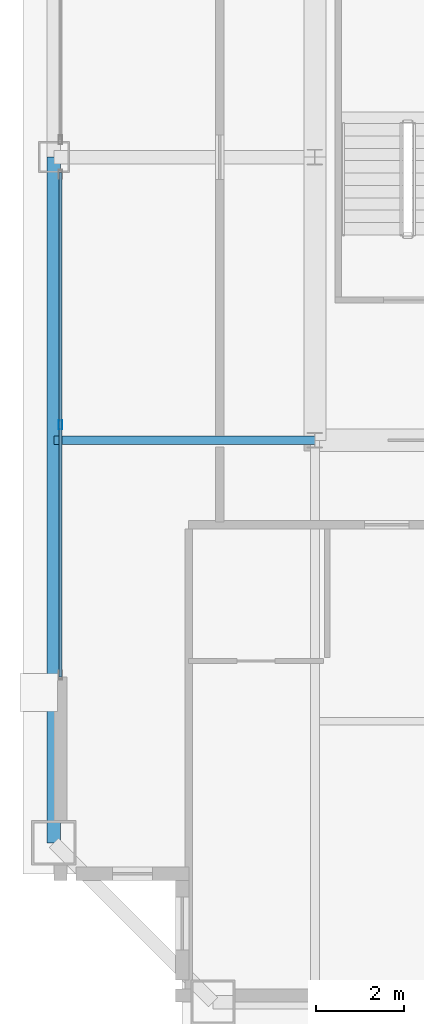
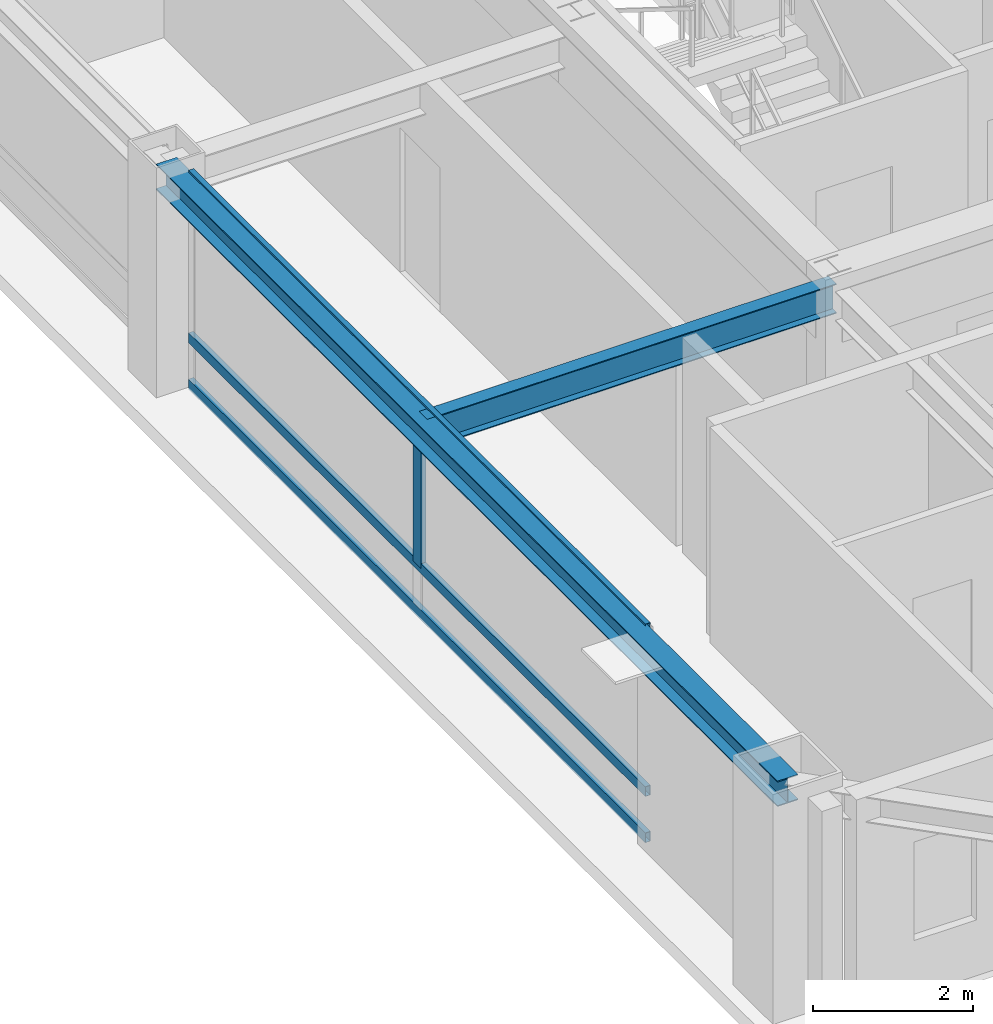
# One storey, part 6 of 35: 4 members, 2 beams, 1 element without a shape of its own.
"""IFC4 building model written with IfcOpenShell, lengths in metres."""

from ifc_helpers import new_model, si_unit, direction, frame, origin, origin_2d, place, context, subcontext, project, spatial, hollow_rectangle, i_section, extrude, source, transform, mapped, material, layer, layer_set, material_profile, profile_set, type_object, element, aggregate, save


model = new_model("IFC4")

# Units and contexts
model_context = context("Model", 3, precision=1e-05, world=origin(), true_north=direction((0.0, 1.0)))
body_context = subcontext(model_context, "Body", "Model", "MODEL_VIEW")
ifc_project = project(units=[si_unit("LENGTHUNIT", "METRE"), si_unit("AREAUNIT", "SQUARE_METRE"), si_unit("VOLUMEUNIT", "CUBIC_METRE"), si_unit("PLANEANGLEUNIT", "RADIAN"), si_unit("MASSUNIT", "GRAM", prefix="KILO"), si_unit("THERMODYNAMICTEMPERATUREUNIT", "KELVIN"), si_unit("POWERUNIT", "WATT")], contexts=[model_context])

# Site, building, storey
site_placement = place(None, origin())
site = spatial("IfcSite", under=ifc_project, at=site_placement, CompositionType="ELEMENT")
building_placement = place(site_placement, origin())
building = spatial("IfcBuilding", under=site, at=building_placement, Name="Yuzanri Waterfront Tower", CompositionType="ELEMENT")
storey_placement = place(building_placement, frame((0.0, 0.0, 318.199951171875)))
storey = spatial("IfcBuildingStorey", under=building, at=storey_placement, Name="L85", CompositionType="ELEMENT", Elevation=318.199951171875)

# Beams
ifc_material_1 = material(Name="Steel Q355B", Category="steel")
ifc_material_profile_1 = material_profile(ifc_material_1, i_section(OverallWidth=0.300048828125, OverallDepth=0.389892578125, WebThickness=0.010009765625, FlangeThickness=0.01611328125, at=origin_2d()), Name="HM 390x300x10x16")
ifc_profile_set_1 = profile_set([ifc_material_profile_1], Name="Steel Q355B")
beam_type_1 = type_object("IfcBeamType", Name="Perimeter Spandrel Q355B HM 390x300", PredefinedType="SPANDREL", material=ifc_profile_set_1)
shared_shape_1 = source(origin(), body_context, "Body", "SweptSolid", [
    extrude(i_section(OverallWidth=0.300048828125, OverallDepth=0.389892578125, WebThickness=0.010009765625, FlangeThickness=0.01611328125, at=origin_2d()), origin(), (0.0, 0.0, 1.0), 15.5),
])
beam_1_placement = place(storey_placement, frame((17.89990234375, 25.800048828125, 3.0849609375), z_axis=(0.0, -1.0, 0.0), x_axis=(1.0, 0.0, 0.0)))
element("IfcBeam", 1, at=beam_1_placement, inside=storey, type_object=beam_type_1, Name="L85 Perimeter Spandrel W2-W1", PredefinedType="SPANDREL", context=body_context, shape_type="MappedRepresentation", body=[
    mapped(shared_shape_1, transform((0.0, 0.0, 0.0), scale=1.0)),
])
ifc_material_2 = material(Name="Steel Q355B", Category="steel")
ifc_material_profile_2 = material_profile(ifc_material_2, i_section(OverallWidth=0.199951171875, OverallDepth=0.449951171875, WebThickness=0.009033203125, FlangeThickness=0.013916015625, at=origin_2d()), Name="HN 450x200x9x14")
ifc_profile_set_2 = profile_set([ifc_material_profile_2], Name="Steel Q355B")
beam_type_2 = type_object("IfcBeamType", Name="Secondary Floor Beam Q355B HN 450x200", PredefinedType="BEAM", material=ifc_profile_set_2)
shared_shape_2 = source(origin(), body_context, "Body", "SweptSolid", [
    extrude(i_section(OverallWidth=0.199951171875, OverallDepth=0.449951171875, WebThickness=0.009033203125, FlangeThickness=0.013916015625, at=origin_2d()), origin(), (0.0, 0.0, 1.0), 5.900146484375),
])
beam_2_placement = place(storey_placement, frame((23.800048828125, 19.39990234375, 3.054931640625), z_axis=(-1.0, 0.0, 0.0), x_axis=(0.0, -1.0, 0.0)))
element("IfcBeam", 2, at=beam_2_placement, inside=storey, type_object=beam_type_2, Name="L85 West-South Core Line Beam", PredefinedType="BEAM", context=body_context, shape_type="MappedRepresentation", body=[
    mapped(shared_shape_2, transform((0.0, 0.0, 0.0), scale=1.0)),
])

# Curtain wall, members
ifc_material_3 = material(Name="Anodized Architectural Bronze", Category="metal")
ifc_layer = layer(ifc_material_3, 0.159912109375)
ifc_layer_set = layer_set([ifc_layer], Name="Anodized Architectural Bronze")
curtain_wall_type = type_object("IfcCurtainWallType", Name="Anodized Bronze High-Rise Penthouse High-Wind Unitized Curtain Wall 6900", PredefinedType="NOTDEFINED", material=ifc_layer_set)
curtain_wall_placement = place(storey_placement, origin())
curtain_wall = element("IfcCurtainWall", 3, at=curtain_wall_placement, inside=storey, type_object=curtain_wall_type, Name="L85 Curtain Wall CW-L85-WL", PredefinedType="NOTDEFINED")
ifc_material_4 = material(Name="Anodized Architectural Bronze", Category="metal")
ifc_material_profile_3 = material_profile(ifc_material_4, hollow_rectangle(XDim=0.074951171875, YDim=0.199951171875, WallThickness=0.00390625, at=origin_2d()), Name="CWM 75x200")
ifc_profile_set_3 = profile_set([ifc_material_profile_3], Name="Anodized Architectural Bronze")
member_type_1 = type_object("IfcMemberType", Name="Anodized Bronze Primary Curtain-Wall Mullion 75x200", PredefinedType="MULLION", material=ifc_profile_set_3)
shared_shape_3 = source(origin(), body_context, "Body", "SweptSolid", [
    extrude(hollow_rectangle(XDim=0.074951171875, YDim=0.199951171875, WallThickness=0.00390625, at=origin_2d()), origin(), (0.0, 0.0, 1.0), 2.52392578125),
])
member_1_placement = place(storey_placement, frame((18.050048828125, 19.75, 0.756103515625), z_axis=(0.0, 0.0, 1.0), x_axis=(1.0, 0.0, 0.0)))
member_1 = element("IfcMember", 4, at=member_1_placement, type_object=member_type_1, Name="CW-L85-WL Upper Mullion 01", PredefinedType="MULLION", context=body_context, shape_type="MappedRepresentation", body=[
    mapped(shared_shape_3, transform((0.0, 0.0, 0.0), scale=1.0)),
])
ifc_material_5 = material(Name="Anodized Architectural Bronze", Category="metal")
ifc_material_profile_4 = material_profile(ifc_material_5, hollow_rectangle(XDim=0.074951171875, YDim=0.14990234375, WallThickness=0.00390625, at=origin_2d()), Name="CWT 75x150")
ifc_profile_set_4 = profile_set([ifc_material_profile_4], Name="Anodized Architectural Bronze")
member_type_2 = type_object("IfcMemberType", Name="Anodized Bronze Primary Curtain-Wall Transom 75x150", PredefinedType="USERDEFINED", material=ifc_profile_set_4)
shared_shape_4 = source(origin(), body_context, "Body", "SweptSolid", [
    extrude(hollow_rectangle(XDim=0.074951171875, YDim=0.14990234375, WallThickness=0.00390625, at=origin_2d()), origin(), (0.0, 0.0, 1.0), 11.39990234375),
])
member_2_placement = place(storey_placement, frame((18.050048828125, 14.050048828125, 0.050048828125), z_axis=(0.0, 1.0, 0.0), x_axis=(-1.0, 0.0, 0.0)))
member_2 = element("IfcMember", 5, at=member_2_placement, type_object=member_type_2, Name="CW-L85-WL Transom 1", ObjectType="TRANSOM", PredefinedType="USERDEFINED", context=body_context, shape_type="MappedRepresentation", body=[
    mapped(shared_shape_4, transform((0.0, 0.0, 0.0), scale=1.0)),
])
member_3_placement = place(storey_placement, frame((18.050048828125, 14.050048828125, 0.754150390625), z_axis=(0.0, 1.0, 0.0), x_axis=(-1.0, 0.0, 0.0)))
member_3 = element("IfcMember", 6, at=member_3_placement, type_object=member_type_2, Name="CW-L85-WL Transom 2", ObjectType="TRANSOM", PredefinedType="USERDEFINED", context=body_context, shape_type="MappedRepresentation", body=[
    mapped(shared_shape_4, transform((0.0, 0.0, 0.0), scale=1.0)),
])
member_4_placement = place(storey_placement, frame((18.050048828125, 14.050048828125, 3.22998046875), z_axis=(0.0, 1.0, 0.0), x_axis=(-1.0, 0.0, 0.0)))
member_4 = element("IfcMember", 7, at=member_4_placement, type_object=member_type_2, Name="CW-L85-WL Transom 3", ObjectType="TRANSOM", PredefinedType="USERDEFINED", context=body_context, shape_type="MappedRepresentation", body=[
    mapped(shared_shape_4, transform((0.0, 0.0, 0.0), scale=1.0)),
])
aggregate(curtain_wall, [member_1, member_2, member_3, member_4])

save(model, "model.ifc")
